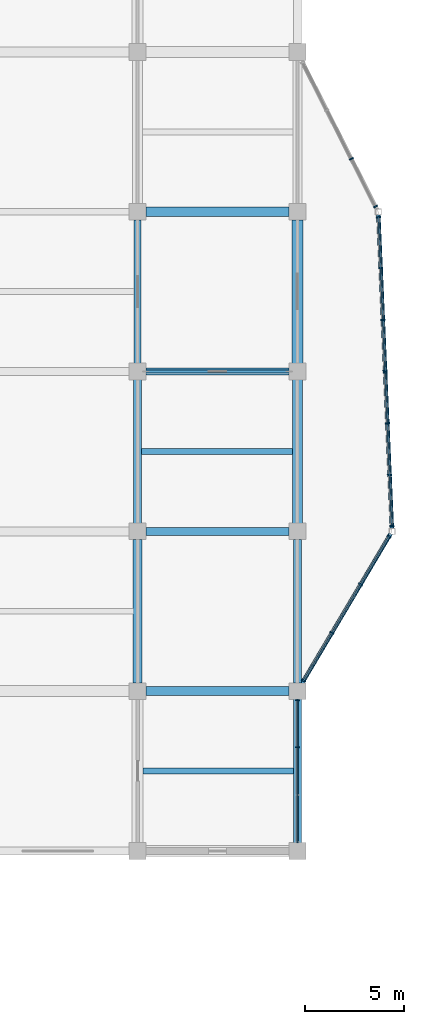
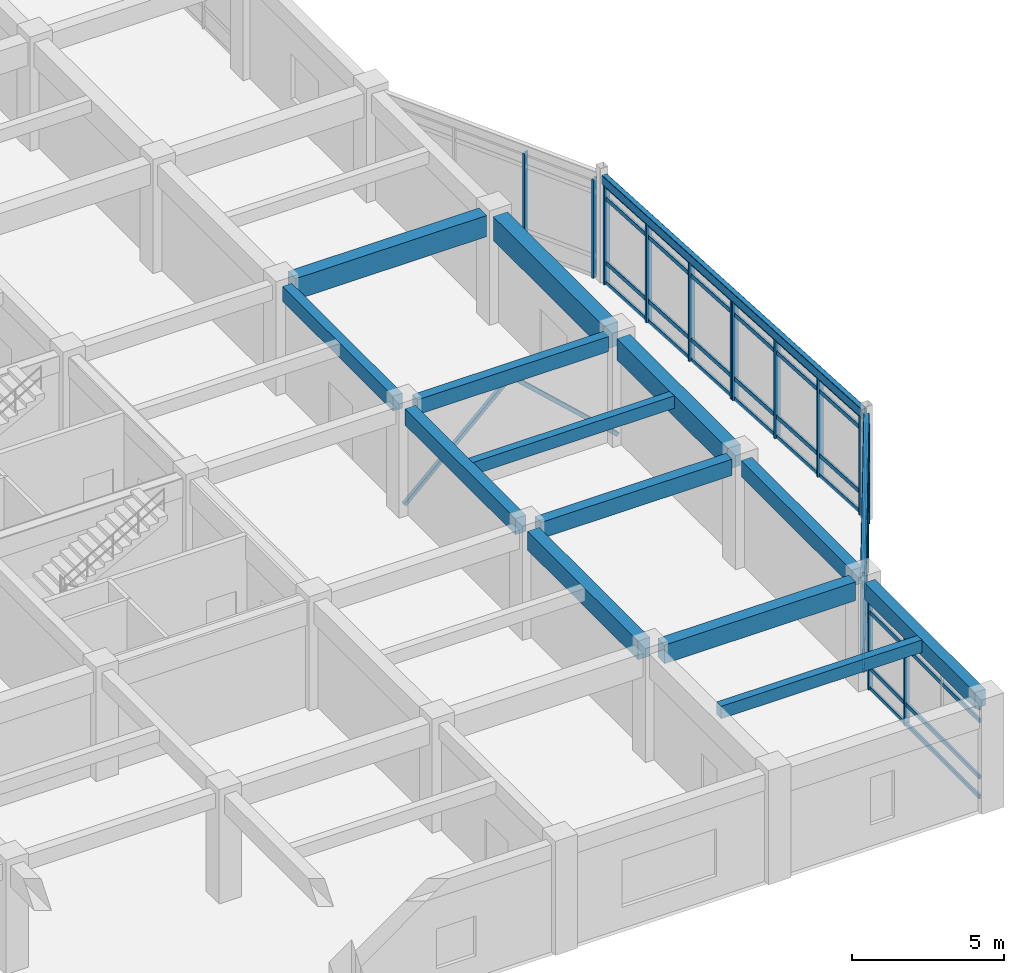
# One storey, part 36 of 93: 34 members, 15 beams, 5 elements without a shape of their own.
"""IFC4 building model written with IfcOpenShell, lengths in metres."""

from ifc_helpers import new_model, si_unit, direction, frame, origin, origin_2d, place, context, subcontext, project, spatial, rectangle, hollow_rectangle, extrude, material, layer, layer_set, material_profile, profile_set, type_object, element, aggregate, save


model = new_model("IFC4")

# Units and contexts
model_context = context("Model", 3, precision=1e-05, world=origin(), true_north=direction((0.0, 1.0)))
body_context = subcontext(model_context, "Body", "Model", "MODEL_VIEW")
ifc_project = project(units=[si_unit("LENGTHUNIT", "METRE"), si_unit("AREAUNIT", "SQUARE_METRE"), si_unit("VOLUMEUNIT", "CUBIC_METRE"), si_unit("PLANEANGLEUNIT", "RADIAN"), si_unit("MASSUNIT", "GRAM", prefix="KILO")], contexts=[model_context])

# Site, building, storey
site_placement = place(None, origin())
site = spatial("IfcSite", under=ifc_project, at=site_placement, CompositionType="ELEMENT")
building_placement = place(site_placement, origin())
building = spatial("IfcBuilding", under=site, at=building_placement, Name="Vaudrelin Polytechnic", CompositionType="ELEMENT")
storey_placement = place(building_placement, frame((0.0, 0.0, 5.10009765625)))
storey = spatial("IfcBuildingStorey", under=building, at=storey_placement, Name="L01", CompositionType="ELEMENT", Elevation=5.10009765625)

# Beams
ifc_material_1 = material(Name="Concrete 40 MPa", Category="concrete")
ifc_material_profile_1 = material_profile(ifc_material_1, rectangle(XDim=0.35009765625, YDim=0.60009765625, at=origin_2d()), Name="RC350x600")
ifc_profile_set_1 = profile_set([ifc_material_profile_1], Name="Concrete 40 MPa")
beam_type_1 = type_object("IfcBeamType", Name="BM-BM-RC3560", PredefinedType="BEAM", material=ifc_profile_set_1)
beam_1_placement = place(storey_placement, frame((162.0, 40.909912109375, 4.010009765625), z_axis=(0.0, 1.0, 0.0), x_axis=(-1.0, 0.0, 0.0)))
element("IfcBeam", 1, at=beam_1_placement, inside=storey, type_object=beam_type_1, Name="L01 Y-beam 21-6", PredefinedType="BEAM", context=body_context, shape_type="SweptSolid", body=[
    extrude(rectangle(XDim=0.35009765625, YDim=0.60009765625, at=origin_2d()), origin(), (0.0, 0.0, 1.0), 7.280029296875),
])
beam_2_placement = place(storey_placement, frame((162.4208984375, 40.5, 4.010009765625), z_axis=(1.0, 0.0, 0.0), x_axis=(0.0, 1.0, 0.0)))
element("IfcBeam", 2, at=beam_2_placement, inside=storey, type_object=beam_type_1, Name="L01 X-beam 21-6", PredefinedType="BEAM", context=body_context, shape_type="SweptSolid", body=[
    extrude(rectangle(XDim=0.35009765625, YDim=0.60009765625, at=origin_2d()), origin(), (0.0, 0.0, 1.0), 7.258056640625),
])
ifc_material_profile_2 = material_profile(ifc_material_1, rectangle(XDim=0.39990234375, YDim=0.64990234375, at=origin_2d()), Name="RC400x650")
ifc_profile_set_2 = profile_set([ifc_material_profile_2], Name="Concrete 40 MPa")
beam_type_2 = type_object("IfcBeamType", Name="BM-BM-RC4065", PredefinedType="BEAM", material=ifc_profile_set_2)
beam_3_placement = place(storey_placement, frame((162.0, 32.81005859375, 3.98486328125), z_axis=(0.0, 1.0, 0.0), x_axis=(-1.0, 0.0, 0.0)))
element("IfcBeam", 3, at=beam_3_placement, inside=storey, type_object=beam_type_2, Name="L01 Y-beam 21-5", PredefinedType="BEAM", context=body_context, shape_type="SweptSolid", body=[
    extrude(rectangle(XDim=0.39990234375, YDim=0.64990234375, at=origin_2d()), origin(), (0.0, 0.0, 1.0), 7.280029296875),
])
beam_4_placement = place(storey_placement, frame((170.10009765625, 16.610107421875, 3.98486328125), z_axis=(0.0, 1.0, 0.0), x_axis=(-1.0, 0.0, 0.0)))
element("IfcBeam", 4, at=beam_4_placement, inside=storey, type_object=beam_type_2, Name="L01 Y-beam 22-3", PredefinedType="BEAM", context=body_context, shape_type="SweptSolid", body=[
    extrude(rectangle(XDim=0.39990234375, YDim=0.64990234375, at=origin_2d()), origin(), (0.0, 0.0, 1.0), 7.27978515625),
])
beam_5_placement = place(storey_placement, frame((162.4208984375, 32.39990234375, 3.98486328125), z_axis=(1.0, 0.0, 0.0), x_axis=(0.0, 1.0, 0.0)))
element("IfcBeam", 5, at=beam_5_placement, inside=storey, type_object=beam_type_2, Name="L01 X-beam 21-5", PredefinedType="BEAM", context=body_context, shape_type="SweptSolid", body=[
    extrude(rectangle(XDim=0.39990234375, YDim=0.64990234375, at=origin_2d()), origin(), (0.0, 0.0, 1.0), 7.258056640625),
])
ifc_material_profile_3 = material_profile(ifc_material_1, rectangle(XDim=0.449951171875, YDim=0.75, at=origin_2d()), Name="RC450x750")
ifc_profile_set_3 = profile_set([ifc_material_profile_3], Name="Concrete 40 MPa")
beam_type_3 = type_object("IfcBeamType", Name="BM-BM-RC4575", PredefinedType="BEAM", material=ifc_profile_set_3)
beam_6_placement = place(storey_placement, frame((162.0, 24.7099609375, 3.934814453125), z_axis=(0.0, 1.0, 0.0), x_axis=(-1.0, 0.0, 0.0)))
element("IfcBeam", 6, at=beam_6_placement, inside=storey, type_object=beam_type_3, Name="L01 Y-beam 21-4", PredefinedType="BEAM", context=body_context, shape_type="SweptSolid", body=[
    extrude(rectangle(XDim=0.449951171875, YDim=0.75, at=origin_2d()), origin(), (0.0, 0.0, 1.0), 7.280029296875),
])
beam_7_placement = place(storey_placement, frame((162.4208984375, 24.300048828125, 3.934814453125), z_axis=(1.0, 0.0, 0.0), x_axis=(0.0, 1.0, 0.0)))
element("IfcBeam", 7, at=beam_7_placement, inside=storey, type_object=beam_type_3, Name="L01 X-beam 21-4", PredefinedType="BEAM", context=body_context, shape_type="SweptSolid", body=[
    extrude(rectangle(XDim=0.449951171875, YDim=0.75, at=origin_2d()), origin(), (0.0, 0.0, 1.0), 7.258056640625),
])
ifc_material_profile_4 = material_profile(ifc_material_1, rectangle(XDim=0.5, YDim=0.85009765625, at=origin_2d()), Name="RC500x850")
ifc_profile_set_4 = profile_set([ifc_material_profile_4], Name="Concrete 40 MPa")
beam_type_4 = type_object("IfcBeamType", Name="BM-BM-RC5085", PredefinedType="BEAM", material=ifc_profile_set_4)
beam_8_placement = place(storey_placement, frame((170.10009765625, 32.81005859375, 3.885009765625), z_axis=(0.0, 1.0, 0.0), x_axis=(-1.0, 0.0, 0.0)))
element("IfcBeam", 8, at=beam_8_placement, inside=storey, type_object=beam_type_4, Name="L01 Y-beam 22-5", PredefinedType="BEAM", context=body_context, shape_type="SweptSolid", body=[
    extrude(rectangle(XDim=0.5, YDim=0.85009765625, at=origin_2d()), origin(), (0.0, 0.0, 1.0), 7.280029296875),
])
beam_9_placement = place(storey_placement, frame((162.4208984375, 48.60009765625, 3.885009765625), z_axis=(1.0, 0.0, 0.0), x_axis=(0.0, 1.0, 0.0)))
element("IfcBeam", 9, at=beam_9_placement, inside=storey, type_object=beam_type_4, Name="L01 X-beam 21-7", PredefinedType="BEAM", context=body_context, shape_type="SweptSolid", body=[
    extrude(rectangle(XDim=0.5, YDim=0.85009765625, at=origin_2d()), origin(), (0.0, 0.0, 1.0), 7.258056640625),
])
ifc_material_2 = material(Name="Concrete 50 MPa", Category="concrete")
ifc_material_profile_5 = material_profile(ifc_material_2, rectangle(XDim=0.550048828125, YDim=0.949951171875, at=origin_2d()), Name="RC550x950")
ifc_profile_set_5 = profile_set([ifc_material_profile_5], Name="Concrete 50 MPa")
beam_type_5 = type_object("IfcBeamType", Name="BM-BM-RC5595", PredefinedType="BEAM", material=ifc_profile_set_5)
beam_10_placement = place(storey_placement, frame((170.10009765625, 40.909912109375, 3.8349609375), z_axis=(0.0, 1.0, 0.0), x_axis=(-1.0, 0.0, 0.0)))
element("IfcBeam", 10, at=beam_10_placement, inside=storey, type_object=beam_type_5, Name="L01 Y-beam 22-6", PredefinedType="BEAM", context=body_context, shape_type="SweptSolid", body=[
    extrude(rectangle(XDim=0.550048828125, YDim=0.949951171875, at=origin_2d()), origin(), (0.0, 0.0, 1.0), 7.280029296875),
])
ifc_material_profile_6 = material_profile(ifc_material_1, rectangle(XDim=0.300048828125, YDim=0.5, at=origin_2d()), Name="RC300x500")
ifc_profile_set_6 = profile_set([ifc_material_profile_6], Name="Concrete 40 MPa")
beam_type_6 = type_object("IfcBeamType", Name="BM-JS-RC3050", PredefinedType="JOIST", material=ifc_profile_set_6)
beam_11_placement = place(storey_placement, frame((162.27099609375, 20.25, 4.059814453125), z_axis=(1.0, 0.0, 0.0), x_axis=(0.0, 1.0, 0.0)))
element("IfcBeam", 11, at=beam_11_placement, inside=storey, type_object=beam_type_6, Name="L01 floor joist 21-3", PredefinedType="JOIST", context=body_context, shape_type="SweptSolid", body=[
    extrude(rectangle(XDim=0.300048828125, YDim=0.5, at=origin_2d()), origin(), (0.0, 0.0, 1.0), 7.633056640625),
])
beam_12_placement = place(storey_placement, frame((162.196044921875, 36.449951171875, 4.059814453125), z_axis=(1.0, 0.0, 0.0), x_axis=(0.0, 1.0, 0.0)))
element("IfcBeam", 12, at=beam_12_placement, inside=storey, type_object=beam_type_6, Name="L01 floor joist 21-5", PredefinedType="JOIST", context=body_context, shape_type="SweptSolid", body=[
    extrude(rectangle(XDim=0.300048828125, YDim=0.5, at=origin_2d()), origin(), (0.0, 0.0, 1.0), 7.657958984375),
])
ifc_material_3 = material(Name="Steel CSA G40.21 350WT", Category="steel")
ifc_material_profile_7 = material_profile(ifc_material_3, hollow_rectangle(XDim=0.202880859375, YDim=0.35595703125, WallThickness=0.0126953125, InnerFilletRadius=0.0126953125, OuterFilletRadius=0.025390625, at=origin_2d()), Name="HSS356x203x12.7")
ifc_profile_set_7 = profile_set([ifc_material_profile_7], Name="Steel CSA G40.21 350WT")
beam_type_7 = type_object("IfcBeamType", Name="BM-SP-HSS35", PredefinedType="SPANDREL", material=ifc_profile_set_7)
beam_13_placement = place(storey_placement, frame((170.17138671875, 24.42041015625, 4.1318359375), z_axis=(0.509799460083, 0.860293270053, 0.0), x_axis=(-0.860293270053, 0.509799460083, 0.0)))
element("IfcBeam", 13, at=beam_13_placement, inside=storey, type_object=beam_type_7, Name="Sculptural edge beam L01 E_OR1_B1", PredefinedType="SPANDREL", context=body_context, shape_type="SweptSolid", body=[
    extrude(hollow_rectangle(XDim=0.202880859375, YDim=0.35595703125, WallThickness=0.0126953125, InnerFilletRadius=0.0126953125, OuterFilletRadius=0.025390625, at=origin_2d()), origin(), (0.0, 0.0, 1.0), 9.135498046875),
])
beam_14_placement = place(storey_placement, frame((174.89404296875, 32.539794921875, 4.1318359375), z_axis=(-0.043173936739, 0.999067570881, 0.0), x_axis=(-0.999067570881, -0.043173936739, 0.0)))
element("IfcBeam", 14, at=beam_14_placement, inside=storey, type_object=beam_type_7, Name="Sculptural edge beam L01 E_OR1_B2", PredefinedType="SPANDREL", context=body_context, shape_type="SweptSolid", body=[
    extrude(hollow_rectangle(XDim=0.202880859375, YDim=0.35595703125, WallThickness=0.0126953125, InnerFilletRadius=0.0126953125, OuterFilletRadius=0.025390625, at=origin_2d()), origin(), (0.0, 0.0, 1.0), 15.935302734375),
])
ifc_material_profile_8 = material_profile(ifc_material_1, rectangle(XDim=0.39990234375, YDim=0.64990234375, at=origin_2d()), Name="RC400x650")
ifc_profile_set_8 = profile_set([ifc_material_profile_8], Name="Concrete 40 MPa")
beam_type_8 = type_object("IfcBeamType", Name="BM-SP-RC4065", PredefinedType="SPANDREL", material=ifc_profile_set_8)
beam_15_placement = place(storey_placement, frame((170.10009765625, 24.7099609375, 3.98486328125), z_axis=(0.0, 1.0, 0.0), x_axis=(-1.0, 0.0, 0.0)))
element("IfcBeam", 15, at=beam_15_placement, inside=storey, type_object=beam_type_8, Name="L01 Y-beam 22-4", PredefinedType="SPANDREL", context=body_context, shape_type="SweptSolid", body=[
    extrude(rectangle(XDim=0.39990234375, YDim=0.64990234375, at=origin_2d()), origin(), (0.0, 0.0, 1.0), 7.280029296875),
])

# Members
ifc_material_4 = material(Name="Steel CSA G40.21 350W", Category="steel")
ifc_material_profile_9 = material_profile(ifc_material_4, hollow_rectangle(XDim=0.152099609375, YDim=0.152099609375, WallThickness=0.008056640625, InnerFilletRadius=0.008056640625, OuterFilletRadius=0.01611328125, at=origin_2d()), Name="HSS152x152x8.0")
ifc_profile_set_9 = profile_set([ifc_material_profile_9], Name="Steel CSA G40.21 350W")
member_type_1 = type_object("IfcMemberType", Name="MEM-BF-D01", PredefinedType="BRACE", material=ifc_profile_set_9)
for number, where, z_axis, x_axis, name in (
    (16, (162.0, 40.5, 0.14990234375), (0.734669297246, 0.0, 0.678425400235), (0.0, 1.0, 0.0), "Chevron brace BF-11A"),
    (17, (170.10009765625, 40.5, 0.14990234375), (-0.734669297246, 0.0, 0.678425400235), (0.0, -1.0, 0.0), "Chevron brace BF-11B"),
):
    element("IfcMember", number, at=place(storey_placement, frame(where, z_axis=z_axis, x_axis=x_axis)), inside=storey, type_object=member_type_1, Name=name, PredefinedType="BRACE", context=body_context, shape_type="SweptSolid", body=[
        extrude(hollow_rectangle(XDim=0.152099609375, YDim=0.152099609375, WallThickness=0.008056640625, InnerFilletRadius=0.008056640625, OuterFilletRadius=0.01611328125, at=origin_2d()), origin(), (0.0, 0.0, 1.0), 5.5126953125),
    ])

# Curtain wall, members
ifc_material_5 = material(Name="Thermally broken anodised aluminium AA 6063-T6 and low-e triple glazing", Category="aluminium")
ifc_layer = layer(ifc_material_5, 0.199951171875)
ifc_layer_set = layer_set([ifc_layer], Name="Thermally broken anodised aluminium AA 6063-T6 and low-e triple glazing")
curtain_wall_type = type_object("IfcCurtainWallType", Name="CW-CW-LAB", PredefinedType="USERDEFINED", material=ifc_layer_set)
curtain_wall_1_placement = place(storey_placement, origin())
curtain_wall_1 = element("IfcCurtainWall", 18, at=curtain_wall_1_placement, inside=storey, type_object=curtain_wall_type, Name="Curtain wall L01 E_V4_00", ObjectType="CURTAIN WALL", PredefinedType="USERDEFINED")
ifc_material_6 = material(Name="Anodised aluminium AA 6063-T6", Category="aluminium")
ifc_material_profile_10 = material_profile(ifc_material_6, rectangle(XDim=0.06494140625, YDim=0.179931640625, at=origin_2d()), Name="CWM-65x180")
ifc_profile_set_10 = profile_set([ifc_material_profile_10], Name="Anodised aluminium AA 6063-T6")
member_type_2 = type_object("IfcMemberType", Name="MEM-CWM-180", PredefinedType="MULLION", material=ifc_profile_set_10)
member_1_placement = place(storey_placement, frame((170.10009765625, 21.458984375, 0.0), z_axis=(0.0, 0.0, 1.0), x_axis=(0.0, 1.0, 0.0)))
member_1 = element("IfcMember", 19, at=member_1_placement, type_object=member_type_2, Name="E_V4_00 mullion 3", PredefinedType="MULLION", context=body_context, shape_type="SweptSolid", body=[
    extrude(rectangle(XDim=0.06494140625, YDim=0.179931640625, at=origin_2d()), origin(), (0.0, 0.0, 1.0), 3.661865234375),
])
member_2_placement = place(storey_placement, frame((170.10009765625, 23.8369140625, 0.0), z_axis=(0.0, 0.0, 1.0), x_axis=(0.0, 1.0, 0.0)))
member_2 = element("IfcMember", 20, at=member_2_placement, type_object=member_type_2, Name="E_V4_00 mullion 4", PredefinedType="MULLION", context=body_context, shape_type="SweptSolid", body=[
    extrude(rectangle(XDim=0.06494140625, YDim=0.179931640625, at=origin_2d()), origin(), (0.0, 0.0, 1.0), 3.661865234375),
])

curtain_wall_2_placement = place(storey_placement, origin())
curtain_wall_2 = element("IfcCurtainWall", 21, at=curtain_wall_2_placement, inside=storey, type_object=curtain_wall_type, Name="Curtain wall L01 E_OR1_1_0", ObjectType="CURTAIN WALL", PredefinedType="USERDEFINED")
ifc_material_profile_11 = material_profile(ifc_material_6, rectangle(XDim=0.074951171875, YDim=0.219970703125, at=origin_2d()), Name="CWM-75x220")
ifc_profile_set_11 = profile_set([ifc_material_profile_11], Name="Anodised aluminium AA 6063-T6")
member_type_3 = type_object("IfcMemberType", Name="MEM-CWM-220", PredefinedType="MULLION", material=ifc_profile_set_11)
member_3_placement = place(storey_placement, frame((170.41552734375, 24.83251953125, 0.0), z_axis=(0.0, 0.0, 1.0), x_axis=(0.509798873652, 0.860293617565, 0.0)))
member_3 = element("IfcMember", 22, at=member_3_placement, type_object=member_type_3, Name="E_OR1_1_0 mullion 1", PredefinedType="MULLION", context=body_context, shape_type="SweptSolid", body=[
    extrude(rectangle(XDim=0.074951171875, YDim=0.219970703125, at=origin_2d()), origin(), (0.0, 0.0, 1.0), 3.97998046875),
])
member_4_placement = place(storey_placement, frame((171.852294921875, 27.2568359375, 0.0), z_axis=(0.0, 0.0, 1.0), x_axis=(0.509798873652, 0.860293617565, 0.0)))
member_4 = element("IfcMember", 23, at=member_4_placement, type_object=member_type_3, Name="E_OR1_1_0 mullion 2", PredefinedType="MULLION", context=body_context, shape_type="SweptSolid", body=[
    extrude(rectangle(XDim=0.074951171875, YDim=0.219970703125, at=origin_2d()), origin(), (0.0, 0.0, 1.0), 3.97998046875),
])
member_5_placement = place(storey_placement, frame((173.309326171875, 29.715576171875, 0.0), z_axis=(0.0, 0.0, 1.0), x_axis=(0.509798873652, 0.860293617565, 0.0)))
member_5 = element("IfcMember", 24, at=member_5_placement, type_object=member_type_3, Name="E_OR1_1_0 mullion 3", PredefinedType="MULLION", context=body_context, shape_type="SweptSolid", body=[
    extrude(rectangle(XDim=0.074951171875, YDim=0.219970703125, at=origin_2d()), origin(), (0.0, 0.0, 1.0), 3.97998046875),
])
member_6_placement = place(storey_placement, frame((174.745849609375, 32.139892578125, 0.0), z_axis=(0.0, 0.0, 1.0), x_axis=(0.509798873652, 0.860293617565, 0.0)))
member_6 = element("IfcMember", 25, at=member_6_placement, type_object=member_type_3, Name="E_OR1_1_0 mullion 4", PredefinedType="MULLION", context=body_context, shape_type="SweptSolid", body=[
    extrude(rectangle(XDim=0.074951171875, YDim=0.219970703125, at=origin_2d()), origin(), (0.0, 0.0, 1.0), 3.97998046875),
])

curtain_wall_3_placement = place(storey_placement, origin())
curtain_wall_3 = element("IfcCurtainWall", 26, at=curtain_wall_3_placement, inside=storey, type_object=curtain_wall_type, Name="Curtain wall L01 E_OR1_2_0", ObjectType="CURTAIN WALL", PredefinedType="USERDEFINED")
member_7_placement = place(storey_placement, frame((174.887939453125, 32.677490234375, 0.0), z_axis=(0.0, 0.0, 1.0), x_axis=(-0.043164270821, 0.99906798854, 0.0)))
member_7 = element("IfcMember", 27, at=member_7_placement, type_object=member_type_3, Name="E_OR1_2_0 mullion 1", PredefinedType="MULLION", context=body_context, shape_type="SweptSolid", body=[
    extrude(rectangle(XDim=0.074951171875, YDim=0.219970703125, at=origin_2d()), origin(), (0.0, 0.0, 1.0), 3.97998046875),
])
member_8_placement = place(storey_placement, frame((174.776611328125, 35.25830078125, 0.0), z_axis=(0.0, 0.0, 1.0), x_axis=(-0.043164270821, 0.99906798854, 0.0)))
member_8 = element("IfcMember", 28, at=member_8_placement, type_object=member_type_3, Name="E_OR1_2_0 mullion 2", PredefinedType="MULLION", context=body_context, shape_type="SweptSolid", body=[
    extrude(rectangle(XDim=0.074951171875, YDim=0.219970703125, at=origin_2d()), origin(), (0.0, 0.0, 1.0), 3.97998046875),
])
member_9_placement = place(storey_placement, frame((174.6630859375, 37.879150390625, 0.0), z_axis=(0.0, 0.0, 1.0), x_axis=(-0.043164270821, 0.99906798854, 0.0)))
member_9 = element("IfcMember", 29, at=member_9_placement, type_object=member_type_3, Name="E_OR1_2_0 mullion 3", PredefinedType="MULLION", context=body_context, shape_type="SweptSolid", body=[
    extrude(rectangle(XDim=0.074951171875, YDim=0.219970703125, at=origin_2d()), origin(), (0.0, 0.0, 1.0), 3.97998046875),
])
member_10_placement = place(storey_placement, frame((174.5517578125, 40.4599609375, 0.0), z_axis=(0.0, 0.0, 1.0), x_axis=(-0.043164270821, 0.99906798854, 0.0)))
member_10 = element("IfcMember", 30, at=member_10_placement, type_object=member_type_3, Name="E_OR1_2_0 mullion 4", PredefinedType="MULLION", context=body_context, shape_type="SweptSolid", body=[
    extrude(rectangle(XDim=0.074951171875, YDim=0.219970703125, at=origin_2d()), origin(), (0.0, 0.0, 1.0), 3.97998046875),
])

curtain_wall_4_placement = place(storey_placement, origin())
curtain_wall_4 = element("IfcCurtainWall", 31, at=curtain_wall_4_placement, inside=storey, type_object=curtain_wall_type, Name="Curtain wall L01 E_OR1_2_1", ObjectType="CURTAIN WALL", PredefinedType="USERDEFINED")
member_11_placement = place(storey_placement, frame((174.54833984375, 40.5400390625, 0.0), z_axis=(0.0, 0.0, 1.0), x_axis=(-0.043164270821, 0.99906798854, 0.0)))
member_11 = element("IfcMember", 32, at=member_11_placement, type_object=member_type_3, Name="E_OR1_2_1 mullion 1", PredefinedType="MULLION", context=body_context, shape_type="SweptSolid", body=[
    extrude(rectangle(XDim=0.074951171875, YDim=0.219970703125, at=origin_2d()), origin(), (0.0, 0.0, 1.0), 3.97998046875),
])
member_12_placement = place(storey_placement, frame((174.436767578125, 43.120849609375, 0.0), z_axis=(0.0, 0.0, 1.0), x_axis=(-0.043164270821, 0.99906798854, 0.0)))
member_12 = element("IfcMember", 33, at=member_12_placement, type_object=member_type_3, Name="E_OR1_2_1 mullion 2", PredefinedType="MULLION", context=body_context, shape_type="SweptSolid", body=[
    extrude(rectangle(XDim=0.074951171875, YDim=0.219970703125, at=origin_2d()), origin(), (0.0, 0.0, 1.0), 3.97998046875),
])
member_13_placement = place(storey_placement, frame((174.323486328125, 45.74169921875, 0.0), z_axis=(0.0, 0.0, 1.0), x_axis=(-0.043164270821, 0.99906798854, 0.0)))
member_13 = element("IfcMember", 34, at=member_13_placement, type_object=member_type_3, Name="E_OR1_2_1 mullion 3", PredefinedType="MULLION", context=body_context, shape_type="SweptSolid", body=[
    extrude(rectangle(XDim=0.074951171875, YDim=0.219970703125, at=origin_2d()), origin(), (0.0, 0.0, 1.0), 3.97998046875),
])
member_14_placement = place(storey_placement, frame((174.2119140625, 48.322509765625, 0.0), z_axis=(0.0, 0.0, 1.0), x_axis=(-0.043164270821, 0.99906798854, 0.0)))
member_14 = element("IfcMember", 35, at=member_14_placement, type_object=member_type_3, Name="E_OR1_2_1 mullion 4", PredefinedType="MULLION", context=body_context, shape_type="SweptSolid", body=[
    extrude(rectangle(XDim=0.074951171875, YDim=0.219970703125, at=origin_2d()), origin(), (0.0, 0.0, 1.0), 3.97998046875),
])

curtain_wall_5_placement = place(storey_placement, origin())
curtain_wall_5 = element("IfcCurtainWall", 36, at=curtain_wall_5_placement, inside=storey, type_object=curtain_wall_type, Name="Curtain wall L01 E_OR1_3_0", ObjectType="CURTAIN WALL", PredefinedType="USERDEFINED")
member_15_placement = place(storey_placement, frame((174.06640625, 48.864013671875, 0.0), z_axis=(0.0, 0.0, 1.0), x_axis=(-0.451609402839, 0.892215751524, 0.0)))
member_15 = element("IfcMember", 37, at=member_15_placement, type_object=member_type_3, Name="E_OR1_3_0 mullion 1", PredefinedType="MULLION", context=body_context, shape_type="SweptSolid", body=[
    extrude(rectangle(XDim=0.074951171875, YDim=0.219970703125, at=origin_2d()), origin(), (0.0, 0.0, 1.0), 3.97998046875),
])
member_16_placement = place(storey_placement, frame((172.8408203125, 51.285400390625, 0.0), z_axis=(0.0, 0.0, 1.0), x_axis=(-0.451609402839, 0.892215751524, 0.0)))
member_16 = element("IfcMember", 38, at=member_16_placement, type_object=member_type_3, Name="E_OR1_3_0 mullion 2", PredefinedType="MULLION", context=body_context, shape_type="SweptSolid", body=[
    extrude(rectangle(XDim=0.074951171875, YDim=0.219970703125, at=origin_2d()), origin(), (0.0, 0.0, 1.0), 3.97998046875),
])
aggregate(curtain_wall_5, [member_15, member_16])

# Member
ifc_material_profile_12 = material_profile(ifc_material_6, rectangle(XDim=0.074951171875, YDim=0.1650390625, at=origin_2d()), Name="CWT-75x165")
ifc_profile_set_12 = profile_set([ifc_material_profile_12], Name="Anodised aluminium AA 6063-T6")
member_type_4 = type_object("IfcMemberType", Name="MEM-CWT-165", PredefinedType="USERDEFINED", material=ifc_profile_set_12)
member_17_placement = place(storey_placement, frame((170.10009765625, 16.623046875, 0.0498046875), z_axis=(0.0, 1.0, 0.0), x_axis=(-1.0, 0.0, 0.0)))
member_17 = element("IfcMember", 39, at=member_17_placement, type_object=member_type_4, Name="E_V4_00 transom 1", ObjectType="TRANSOM", PredefinedType="USERDEFINED", context=body_context, shape_type="SweptSolid", body=[
    extrude(rectangle(XDim=0.074951171875, YDim=0.1650390625, at=origin_2d()), origin(), (0.0, 0.0, 1.0), 7.25390625),
])

member_18_placement = place(storey_placement, frame((170.10009765625, 16.623046875, 0.849853515625), z_axis=(0.0, 1.0, 0.0), x_axis=(-1.0, 0.0, 0.0)))
member_18 = element("IfcMember", 40, at=member_18_placement, type_object=member_type_4, Name="E_V4_00 transom 2", ObjectType="TRANSOM", PredefinedType="USERDEFINED", context=body_context, shape_type="SweptSolid", body=[
    extrude(rectangle(XDim=0.074951171875, YDim=0.1650390625, at=origin_2d()), origin(), (0.0, 0.0, 1.0), 7.25390625),
])

member_19_placement = place(storey_placement, frame((170.10009765625, 16.623046875, 3.11181640625), z_axis=(0.0, 1.0, 0.0), x_axis=(-1.0, 0.0, 0.0)))
member_19 = element("IfcMember", 41, at=member_19_placement, type_object=member_type_4, Name="E_V4_00 transom 3", ObjectType="TRANSOM", PredefinedType="USERDEFINED", context=body_context, shape_type="SweptSolid", body=[
    extrude(rectangle(XDim=0.074951171875, YDim=0.1650390625, at=origin_2d()), origin(), (0.0, 0.0, 1.0), 7.25390625),
])

member_20_placement = place(storey_placement, frame((170.10009765625, 16.623046875, 3.61181640625), z_axis=(0.0, 1.0, 0.0), x_axis=(-1.0, 0.0, 0.0)))
member_20 = element("IfcMember", 42, at=member_20_placement, type_object=member_type_4, Name="E_V4_00 transom 4", ObjectType="TRANSOM", PredefinedType="USERDEFINED", context=body_context, shape_type="SweptSolid", body=[
    extrude(rectangle(XDim=0.074951171875, YDim=0.1650390625, at=origin_2d()), origin(), (0.0, 0.0, 1.0), 7.25390625),
])

aggregate(curtain_wall_1, [member_1, member_2, member_17, member_18, member_19, member_20])

member_21_placement = place(storey_placement, frame((170.395263671875, 24.798095703125, 0.0498046875), z_axis=(0.509802390302, 0.860291533634, 0.0), x_axis=(-0.860291533634, 0.509802390302, 0.0)))
member_21 = element("IfcMember", 43, at=member_21_placement, type_object=member_type_4, Name="E_OR1_1_0 transom 1", ObjectType="TRANSOM", PredefinedType="USERDEFINED", context=body_context, shape_type="SweptSolid", body=[
    extrude(rectangle(XDim=0.074951171875, YDim=0.1650390625, at=origin_2d()), origin(), (0.0, 0.0, 1.0), 8.573974609375),
])

member_22_placement = place(storey_placement, frame((170.395263671875, 24.798095703125, 0.849853515625), z_axis=(0.509802390302, 0.860291533634, 0.0), x_axis=(-0.860291533634, 0.509802390302, 0.0)))
member_22 = element("IfcMember", 44, at=member_22_placement, type_object=member_type_4, Name="E_OR1_1_0 transom 2", ObjectType="TRANSOM", PredefinedType="USERDEFINED", context=body_context, shape_type="SweptSolid", body=[
    extrude(rectangle(XDim=0.074951171875, YDim=0.1650390625, at=origin_2d()), origin(), (0.0, 0.0, 1.0), 8.573974609375),
])

member_23_placement = place(storey_placement, frame((170.395263671875, 24.798095703125, 3.429931640625), z_axis=(0.509802390302, 0.860291533634, 0.0), x_axis=(-0.860291533634, 0.509802390302, 0.0)))
member_23 = element("IfcMember", 45, at=member_23_placement, type_object=member_type_4, Name="E_OR1_1_0 transom 3", ObjectType="TRANSOM", PredefinedType="USERDEFINED", context=body_context, shape_type="SweptSolid", body=[
    extrude(rectangle(XDim=0.074951171875, YDim=0.1650390625, at=origin_2d()), origin(), (0.0, 0.0, 1.0), 8.573974609375),
])

member_24_placement = place(storey_placement, frame((170.395263671875, 24.798095703125, 3.929931640625), z_axis=(0.509802390302, 0.860291533634, 0.0), x_axis=(-0.860291533634, 0.509802390302, 0.0)))
member_24 = element("IfcMember", 46, at=member_24_placement, type_object=member_type_4, Name="E_OR1_1_0 transom 4", ObjectType="TRANSOM", PredefinedType="USERDEFINED", context=body_context, shape_type="SweptSolid", body=[
    extrude(rectangle(XDim=0.074951171875, YDim=0.1650390625, at=origin_2d()), origin(), (0.0, 0.0, 1.0), 8.573974609375),
])

aggregate(curtain_wall_2, [member_3, member_4, member_5, member_6, member_21, member_22, member_23, member_24])

member_25_placement = place(storey_placement, frame((174.8896484375, 32.637451171875, 0.0498046875), z_axis=(-0.043151818671, 0.999068526451, 0.0), x_axis=(-0.999068526451, -0.043151818671, 0.0)))
member_25 = element("IfcMember", 47, at=member_25_placement, type_object=member_type_4, Name="E_OR1_2_0 transom 1", ObjectType="TRANSOM", PredefinedType="USERDEFINED", context=body_context, shape_type="SweptSolid", body=[
    extrude(rectangle(XDim=0.074951171875, YDim=0.1650390625, at=origin_2d()), origin(), (0.0, 0.0, 1.0), 7.869873046875),
])

member_26_placement = place(storey_placement, frame((174.8896484375, 32.637451171875, 0.849853515625), z_axis=(-0.043151818671, 0.999068526451, 0.0), x_axis=(-0.999068526451, -0.043151818671, 0.0)))
member_26 = element("IfcMember", 48, at=member_26_placement, type_object=member_type_4, Name="E_OR1_2_0 transom 2", ObjectType="TRANSOM", PredefinedType="USERDEFINED", context=body_context, shape_type="SweptSolid", body=[
    extrude(rectangle(XDim=0.074951171875, YDim=0.1650390625, at=origin_2d()), origin(), (0.0, 0.0, 1.0), 7.869873046875),
])

member_27_placement = place(storey_placement, frame((174.8896484375, 32.637451171875, 3.429931640625), z_axis=(-0.043151818671, 0.999068526451, 0.0), x_axis=(-0.999068526451, -0.043151818671, 0.0)))
member_27 = element("IfcMember", 49, at=member_27_placement, type_object=member_type_4, Name="E_OR1_2_0 transom 3", ObjectType="TRANSOM", PredefinedType="USERDEFINED", context=body_context, shape_type="SweptSolid", body=[
    extrude(rectangle(XDim=0.074951171875, YDim=0.1650390625, at=origin_2d()), origin(), (0.0, 0.0, 1.0), 7.869873046875),
])

member_28_placement = place(storey_placement, frame((174.8896484375, 32.637451171875, 3.929931640625), z_axis=(-0.043151818671, 0.999068526451, 0.0), x_axis=(-0.999068526451, -0.043151818671, 0.0)))
member_28 = element("IfcMember", 50, at=member_28_placement, type_object=member_type_4, Name="E_OR1_2_0 transom 4", ObjectType="TRANSOM", PredefinedType="USERDEFINED", context=body_context, shape_type="SweptSolid", body=[
    extrude(rectangle(XDim=0.074951171875, YDim=0.1650390625, at=origin_2d()), origin(), (0.0, 0.0, 1.0), 7.869873046875),
])

aggregate(curtain_wall_3, [member_7, member_8, member_9, member_10, member_25, member_26, member_27, member_28])

member_29_placement = place(storey_placement, frame((174.550048828125, 40.5, 0.0498046875), z_axis=(-0.043182782999, 0.999067188558, 0.0), x_axis=(-0.999067188558, -0.043182782999, 0.0)))
member_29 = element("IfcMember", 51, at=member_29_placement, type_object=member_type_4, Name="E_OR1_2_1 transom 1", ObjectType="TRANSOM", PredefinedType="USERDEFINED", context=body_context, shape_type="SweptSolid", body=[
    extrude(rectangle(XDim=0.074951171875, YDim=0.1650390625, at=origin_2d()), origin(), (0.0, 0.0, 1.0), 7.869873046875),
])

member_30_placement = place(storey_placement, frame((174.550048828125, 40.5, 0.849853515625), z_axis=(-0.043182782999, 0.999067188558, 0.0), x_axis=(-0.999067188558, -0.043182782999, 0.0)))
member_30 = element("IfcMember", 52, at=member_30_placement, type_object=member_type_4, Name="E_OR1_2_1 transom 2", ObjectType="TRANSOM", PredefinedType="USERDEFINED", context=body_context, shape_type="SweptSolid", body=[
    extrude(rectangle(XDim=0.074951171875, YDim=0.1650390625, at=origin_2d()), origin(), (0.0, 0.0, 1.0), 7.869873046875),
])

member_31_placement = place(storey_placement, frame((174.550048828125, 40.5, 3.429931640625), z_axis=(-0.043182782999, 0.999067188558, 0.0), x_axis=(-0.999067188558, -0.043182782999, 0.0)))
member_31 = element("IfcMember", 53, at=member_31_placement, type_object=member_type_4, Name="E_OR1_2_1 transom 3", ObjectType="TRANSOM", PredefinedType="USERDEFINED", context=body_context, shape_type="SweptSolid", body=[
    extrude(rectangle(XDim=0.074951171875, YDim=0.1650390625, at=origin_2d()), origin(), (0.0, 0.0, 1.0), 7.869873046875),
])

member_32_placement = place(storey_placement, frame((174.550048828125, 40.5, 3.929931640625), z_axis=(-0.043182782999, 0.999067188558, 0.0), x_axis=(-0.999067188558, -0.043182782999, 0.0)))
member_32 = element("IfcMember", 54, at=member_32_placement, type_object=member_type_4, Name="E_OR1_2_1 transom 4", ObjectType="TRANSOM", PredefinedType="USERDEFINED", context=body_context, shape_type="SweptSolid", body=[
    extrude(rectangle(XDim=0.074951171875, YDim=0.1650390625, at=origin_2d()), origin(), (0.0, 0.0, 1.0), 7.869873046875),
])

aggregate(curtain_wall_4, [member_11, member_12, member_13, member_14, member_29, member_30, member_31, member_32])

save(model, "model.ifc")
